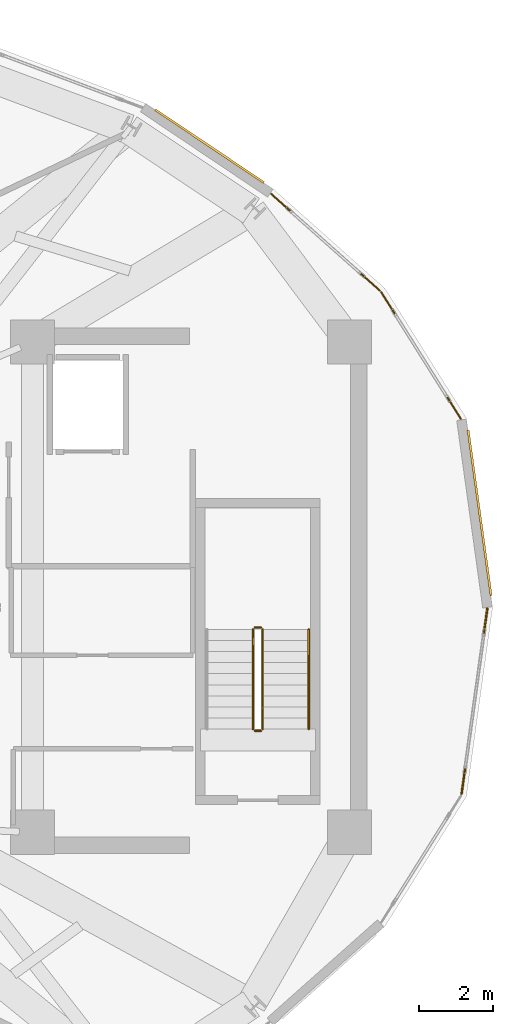
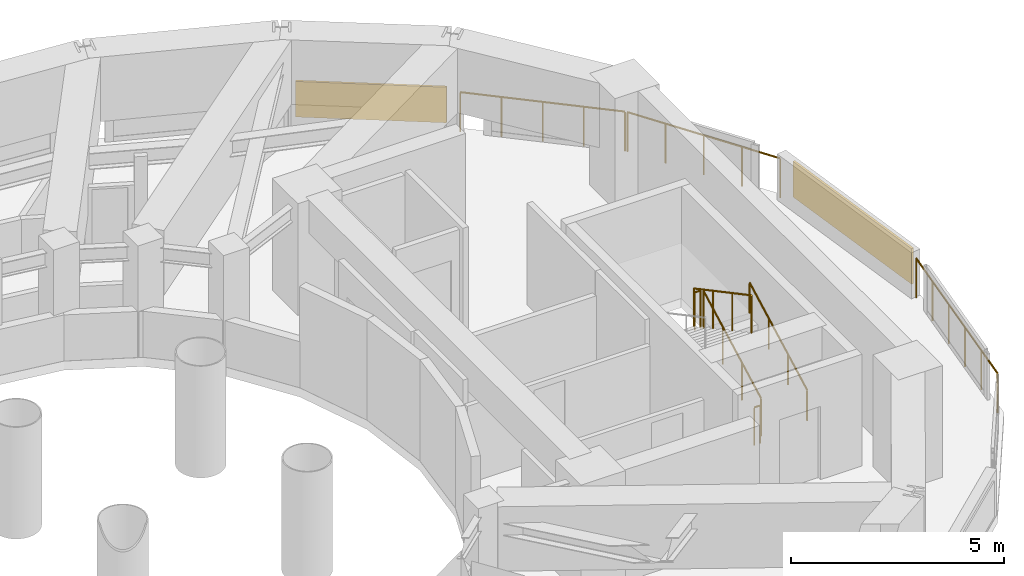
# One storey, part 17 of 17: 8 railings, 2 shading devices.
"""IFC4 building model written with IfcOpenShell, lengths in metres."""

from ifc_helpers import new_model, si_unit, direction, frame, origin, origin_2d, place, context, subcontext, project, spatial, rectangle, circle, extrude, material, layer, layer_set, type_object, element, save


model = new_model("IFC4")

# Units and contexts
model_context = context("Model", 3, precision=1e-05, world=origin(), true_north=direction((0.0, 1.0)))
body_context = subcontext(model_context, "Body", "Model", "MODEL_VIEW")
ifc_project = project(units=[si_unit("LENGTHUNIT", "METRE"), si_unit("AREAUNIT", "SQUARE_METRE"), si_unit("VOLUMEUNIT", "CUBIC_METRE"), si_unit("PLANEANGLEUNIT", "RADIAN"), si_unit("MASSUNIT", "GRAM", prefix="KILO")], contexts=[model_context])

# Site, building, storey
site_placement = place(None, origin())
site = spatial("IfcSite", under=ifc_project, at=site_placement, CompositionType="ELEMENT")
building_placement = place(site_placement, origin())
building = spatial("IfcBuilding", under=site, at=building_placement, Name="Solvane Sanctuary Tower", CompositionType="ELEMENT")
storey_placement = place(building_placement, frame((0.0, 0.0, 270.0)))
storey = spatial("IfcBuildingStorey", under=building, at=storey_placement, Name="L82", CompositionType="ELEMENT", Elevation=270.0)

# Railings
ifc_material_1 = material(Name="Architectural Stainless Steel 316", Category="steel")
railing_type_1 = type_object("IfcRailingType", Name="Railing GR-BALC-1150", PredefinedType="BALUSTRADE", material=ifc_material_1)
railing_1_placement = place(storey_placement, frame((51.7177734375, 28.11181640625, 0.0)))
element("IfcRailing", 1, at=railing_1_placement, inside=storey, type_object=railing_type_1, Name="L82 Crown Curtain-Wall Sill Guard 01", PredefinedType="BALUSTRADE", context=body_context, shape_type="SweptSolid", body=[
    extrude(circle(Radius=0.02392578125, at=origin_2d()), frame((0.0, 0.0, 1.1259765625), z_axis=(-0.532230689214, 0.846599370103, 0.0), x_axis=(-0.846599370103, -0.532230689214, 0.0)), (0.0, 0.0, 1.0), 4.057861328125),
    extrude(circle(Radius=0.02099609375, at=origin_2d()), origin(), (0.0, 0.0, 1.0), 1.101806640625),
    extrude(circle(Radius=0.02099609375, at=origin_2d()), frame((-0.5400390625, 0.85888671875, 0.0)), (0.0, 0.0, 1.0), 1.101806640625),
    extrude(circle(Radius=0.02099609375, at=origin_2d()), frame((-1.079833984375, 1.7177734375, 0.0)), (0.0, 0.0, 1.0), 1.101806640625),
    extrude(circle(Radius=0.02099609375, at=origin_2d()), frame((-1.61962890625, 2.576416015625, 0.0)), (0.0, 0.0, 1.0), 1.101806640625),
    extrude(circle(Radius=0.02099609375, at=origin_2d()), frame((-2.15966796875, 3.435302734375, 0.0)), (0.0, 0.0, 1.0), 1.101806640625),
])
railing_2_placement = place(storey_placement, frame((49.519775390625, 31.59228515625, 0.0)))
element("IfcRailing", 2, at=railing_2_placement, inside=storey, type_object=railing_type_1, Name="L82 Crown Curtain-Wall Sill Guard 02", PredefinedType="BALUSTRADE", context=body_context, shape_type="SweptSolid", body=[
    extrude(circle(Radius=0.02392578125, at=origin_2d()), frame((0.0, 0.0, 1.1259765625), z_axis=(-0.747266004732, 0.664525032013, 0.0), x_axis=(-0.664525032013, -0.747266004732, 0.0)), (0.0, 0.0, 1.0), 3.947998046875),
    extrude(circle(Radius=0.02099609375, at=origin_2d()), origin(), (0.0, 0.0, 1.0), 1.101806640625),
    extrude(circle(Radius=0.02099609375, at=origin_2d()), frame((-0.737548828125, 0.65576171875, 0.0)), (0.0, 0.0, 1.0), 1.101806640625),
    extrude(circle(Radius=0.02099609375, at=origin_2d()), frame((-1.47509765625, 1.311767578125, 0.0)), (0.0, 0.0, 1.0), 1.101806640625),
    extrude(circle(Radius=0.02099609375, at=origin_2d()), frame((-2.212646484375, 1.9677734375, 0.0)), (0.0, 0.0, 1.0), 1.101806640625),
    extrude(circle(Radius=0.02099609375, at=origin_2d()), frame((-2.9501953125, 2.62353515625, 0.0)), (0.0, 0.0, 1.0), 1.101806640625),
])
railing_3_placement = place(storey_placement, frame((51.73779296875, 17.943359375, 0.0)))
element("IfcRailing", 3, at=railing_3_placement, inside=storey, type_object=railing_type_1, Name="L82 Crown Curtain-Wall Sill Guard 23", PredefinedType="BALUSTRADE", context=body_context, shape_type="SweptSolid", body=[
    extrude(circle(Radius=0.02392578125, at=origin_2d()), frame((0.0, 0.0, 1.1259765625), z_axis=(0.137534285679, 0.99049700669, 0.0), x_axis=(-0.99049700669, 0.137534285679, 0.0)), (0.0, 0.0, 1.0), 5.0751953125),
    extrude(circle(Radius=0.02099609375, at=origin_2d()), origin(), (0.0, 0.0, 1.0), 1.101806640625),
    extrude(circle(Radius=0.02099609375, at=origin_2d()), frame((0.1396484375, 1.00537109375, 0.0)), (0.0, 0.0, 1.0), 1.101806640625),
    extrude(circle(Radius=0.02099609375, at=origin_2d()), frame((0.279296875, 2.0107421875, 0.0)), (0.0, 0.0, 1.0), 1.101806640625),
    extrude(circle(Radius=0.02099609375, at=origin_2d()), frame((0.418701171875, 3.01611328125, 0.0)), (0.0, 0.0, 1.0), 1.101806640625),
    extrude(circle(Radius=0.02099609375, at=origin_2d()), frame((0.558349609375, 4.021484375, 0.0)), (0.0, 0.0, 1.0), 1.101806640625),
    extrude(circle(Radius=0.02099609375, at=origin_2d()), frame((0.697998046875, 5.02685546875, 0.0)), (0.0, 0.0, 1.0), 1.101806640625),
])
railing_4_placement = place(storey_placement, frame((46.340087890625, 19.699951171875, 0.159912109375)))
element("IfcRailing", 4, at=railing_4_placement, inside=storey, type_object=railing_type_1, Name="L82 ST-2 stair guard 1", PredefinedType="BALUSTRADE", context=body_context, shape_type="SweptSolid", body=[
    extrude(circle(Radius=0.02392578125, at=origin_2d()), frame((0.0, 0.0, 1.076171875), z_axis=(0.0, 0.882324228566, 0.470642067484), x_axis=(-1.0, 0.0, 0.0)), (0.0, 0.0, 1.0), 3.06005859375),
    extrude(circle(Radius=0.02099609375, at=origin_2d()), origin(), (0.0, 0.0, 1.0), 1.052001953125),
    extrude(circle(Radius=0.02099609375, at=origin_2d()), frame((0.0, 0.89990234375, 0.47998046875)), (0.0, 0.0, 1.0), 1.052001953125),
    extrude(circle(Radius=0.02099609375, at=origin_2d()), frame((0.0, 1.800048828125, 0.960205078125)), (0.0, 0.0, 1.0), 1.052001953125),
    extrude(circle(Radius=0.02099609375, at=origin_2d()), frame((0.0, 2.699951171875, 1.440185546875)), (0.0, 0.0, 1.0), 1.052001953125),
])
railing_5_placement = place(storey_placement, frame((46.2900390625, 22.449951171875, 1.60009765625)))
element("IfcRailing", 5, at=railing_5_placement, inside=storey, type_object=railing_type_1, Name="L82 ST-2 stair guard 2", PredefinedType="BALUSTRADE", context=body_context, shape_type="SweptSolid", body=[
    extrude(circle(Radius=0.02392578125, at=origin_2d()), frame((0.0, 0.0, 1.076171875), z_axis=(-1.0, 0.0, 0.0), x_axis=(0.0, -1.0, 0.0)), (0.0, 0.0, 1.0), 0.16015625),
    extrude(circle(Radius=0.02099609375, at=origin_2d()), origin(), (0.0, 0.0, 1.0), 1.052001953125),
    extrude(circle(Radius=0.02099609375, at=origin_2d()), frame((-0.16015625, 0.0, 0.0)), (0.0, 0.0, 1.0), 1.052001953125),
])
railing_6_placement = place(storey_placement, frame((46.080078125, 22.39990234375, 1.760009765625)))
element("IfcRailing", 6, at=railing_6_placement, inside=storey, type_object=railing_type_1, Name="L82 ST-2 stair guard 3", PredefinedType="BALUSTRADE", context=body_context, shape_type="SweptSolid", body=[
    extrude(circle(Radius=0.02392578125, at=origin_2d()), frame((0.0, 0.0, 1.076171875), z_axis=(0.0, -0.882357358376, 0.470579952952), x_axis=(1.0, 0.0, 0.0)), (0.0, 0.0, 1.0), 3.059814453125),
    extrude(circle(Radius=0.02099609375, at=origin_2d()), origin(), (0.0, 0.0, 1.0), 1.052001953125),
    extrude(circle(Radius=0.02099609375, at=origin_2d()), frame((0.0, -0.89990234375, 0.47998046875)), (0.0, 0.0, 1.0), 1.052001953125),
    extrude(circle(Radius=0.02099609375, at=origin_2d()), frame((0.0, -1.800048828125, 0.9599609375)), (0.0, 0.0, 1.0), 1.052001953125),
    extrude(circle(Radius=0.02099609375, at=origin_2d()), frame((0.0, -2.699951171875, 1.43994140625)), (0.0, 0.0, 1.0), 1.052001953125),
])
railing_7_placement = place(storey_placement, frame((46.2900390625, 19.64990234375, 0.0)))
element("IfcRailing", 7, at=railing_7_placement, inside=storey, type_object=railing_type_1, Name="L82 ST-2 stair guard 4", PredefinedType="BALUSTRADE", context=body_context, shape_type="SweptSolid", body=[
    extrude(circle(Radius=0.02392578125, at=origin_2d()), frame((0.0, 0.0, 1.076171875), z_axis=(-1.0, 0.0, 0.0), x_axis=(0.0, -1.0, 0.0)), (0.0, 0.0, 1.0), 0.16015625),
    extrude(circle(Radius=0.02099609375, at=origin_2d()), origin(), (0.0, 0.0, 1.0), 1.052001953125),
    extrude(circle(Radius=0.02099609375, at=origin_2d()), frame((-0.16015625, 0.0, 0.0)), (0.0, 0.0, 1.0), 1.052001953125),
])
railing_type_2 = type_object("IfcRailingType", Name="Railing HR-STAIR-920", PredefinedType="HANDRAIL", material=ifc_material_1)
railing_8_placement = place(storey_placement, frame((47.590087890625, 19.699951171875, 0.159912109375)))
element("IfcRailing", 8, at=railing_8_placement, inside=storey, type_object=railing_type_2, Name="L82 ST-2 stair handrail 1", PredefinedType="HANDRAIL", context=body_context, shape_type="SweptSolid", body=[
    extrude(circle(Radius=0.02392578125, at=origin_2d()), frame((0.0, 0.0, 0.8759765625), z_axis=(0.0, 0.882324228566, 0.470642067484), x_axis=(-1.0, 0.0, 0.0)), (0.0, 0.0, 1.0), 3.06005859375),
    extrude(circle(Radius=0.02099609375, at=origin_2d()), origin(), (0.0, 0.0, 1.0), 0.851806640625),
    extrude(circle(Radius=0.02099609375, at=origin_2d()), frame((0.0, 0.89990234375, 0.47998046875)), (0.0, 0.0, 1.0), 0.851806640625),
    extrude(circle(Radius=0.02099609375, at=origin_2d()), frame((0.0, 1.800048828125, 0.960205078125)), (0.0, 0.0, 1.0), 0.851806640625),
    extrude(circle(Radius=0.02099609375, at=origin_2d()), frame((0.0, 2.699951171875, 1.440185546875)), (0.0, 0.0, 1.0), 0.851806640625),
])

# Shading devices
ifc_material_2 = material(Name="Anodised Aluminium 6063-T6", Category="aluminium")
ifc_layer = layer(ifc_material_2, 0.06005859375, Name="Anodised Aluminium 6063-T6")
ifc_layer_set = layer_set([ifc_layer], Name="Anodised Aluminium 6063-T6")
shading_device_type = type_object("IfcShadingDeviceType", Name="Shading SHD-LOUVRE", PredefinedType="JALOUSIE", material=ifc_layer_set)
shading_device_1_placement = place(storey_placement, frame((52.2255859375, 25.5625, 0.14990234375), z_axis=(0.0, 0.0, 1.0), x_axis=(-0.137522340044, 0.990498665314, 0.0)))
element("IfcShadingDevice", 9, at=shading_device_1_placement, inside=storey, type_object=shading_device_type, Name="L82 Crown Storm Louvre Panel 00", PredefinedType="JALOUSIE", context=body_context, shape_type="SweptSolid", body=[
    extrude(rectangle(XDim=4.53515625, YDim=0.06005859375, at=origin_2d()), origin(), (0.0, 0.0, 1.0), 1.02001953125),
])
shading_device_2_placement = place(storey_placement, frame((44.90087890625, 35.508544921875, 0.14990234375), z_axis=(0.0, 0.0, 1.0), x_axis=(-0.830438413126, 0.557110439683, 0.0)))
element("IfcShadingDevice", 10, at=shading_device_2_placement, inside=storey, type_object=shading_device_type, Name="L82 Crown Storm Louvre Panel 03", PredefinedType="JALOUSIE", context=body_context, shape_type="SweptSolid", body=[
    extrude(rectangle(XDim=3.552001953125, YDim=0.06005859375, at=origin_2d()), origin(), (0.0, 0.0, 1.0), 1.02001953125),
])

save(model, "model.ifc")
